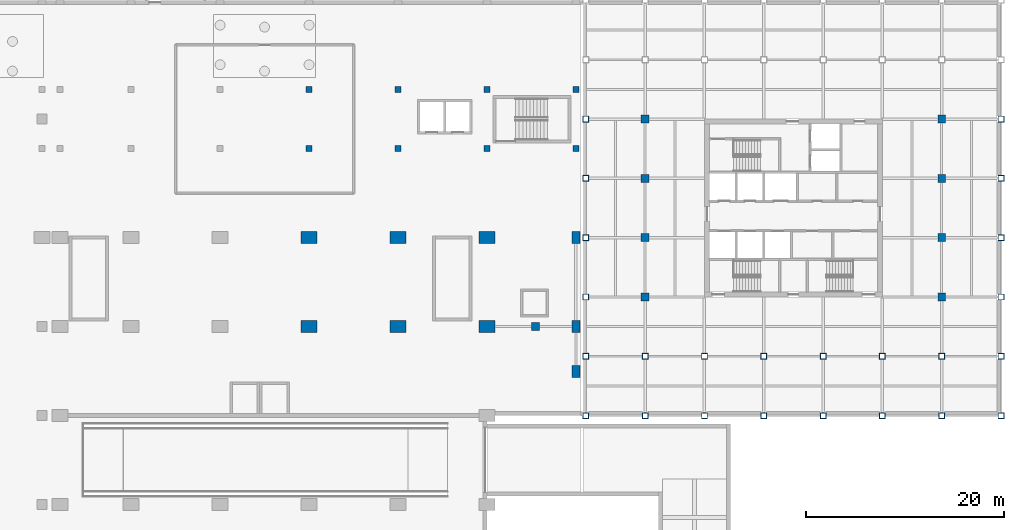
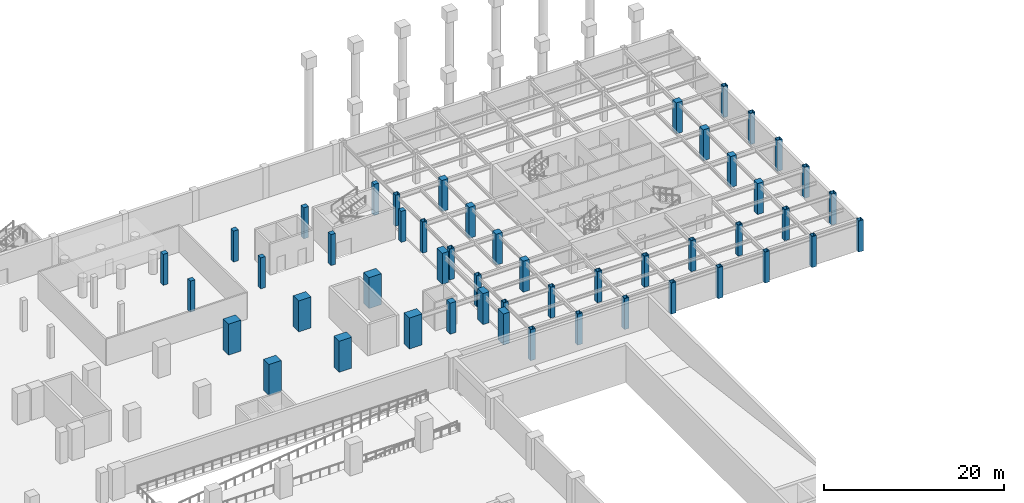
# One storey, part 4 of 27: 50 columns.
"""IFC4 building model written with IfcOpenShell, lengths in metres."""

from ifc_helpers import new_model, si_unit, direction, frame, origin, origin_2d, place, context, subcontext, project, spatial, rectangle, hollow_rectangle, extrude, material, material_profile, profile_set, type_object, element, save


model = new_model("IFC4")

# Units and contexts
model_context = context("Model", 3, precision=1e-05, world=origin(), true_north=direction((0.0, 1.0)))
body_context = subcontext(model_context, "Body", "Model", "MODEL_VIEW")
ifc_project = project(units=[si_unit("LENGTHUNIT", "METRE"), si_unit("AREAUNIT", "SQUARE_METRE"), si_unit("VOLUMEUNIT", "CUBIC_METRE"), si_unit("PLANEANGLEUNIT", "RADIAN"), si_unit("MASSUNIT", "GRAM", prefix="KILO")], contexts=[model_context])

# Site, building, storey
site_placement = place(None, origin())
site = spatial("IfcSite", under=ifc_project, at=site_placement, CompositionType="ELEMENT")
building_placement = place(site_placement, origin())
building = spatial("IfcBuilding", under=site, at=building_placement, Name="Aravalli Gate Trade Fair Centre", CompositionType="ELEMENT")
storey_placement = place(building_placement, frame((0.0, 0.0, -4.199951171875)))
storey = spatial("IfcBuildingStorey", under=building, at=storey_placement, Name="B1", CompositionType="ELEMENT", Elevation=-4.199951171875)

# Columns
ifc_material_1 = material(Name="Concrete M50", Category="concrete")
ifc_material_profile_1 = material_profile(ifc_material_1, rectangle(XDim=0.800048828125, YDim=0.800048828125, at=origin_2d()), Name="RC 800 x 800")
ifc_profile_set_1 = profile_set([ifc_material_profile_1], Name="Concrete M50")
column_type_1 = type_object("IfcColumnType", Name="Basement column 800", PredefinedType="COLUMN", material=ifc_profile_set_1)
for number, where, z_axis, x_axis, name in (
    (1, (166.0, 103.0, 0.0), (0.0, 0.0, 1.0), (1.0, 0.0, 0.0), "Basement column 19T2 B1"),
    (2, (166.0, 109.0, 0.0), (0.0, 0.0, 1.0), (1.0, 0.0, 0.0), "Basement column 19H B1"),
    (3, (166.0, 115.0, 0.0), (0.0, 0.0, 1.0), (1.0, 0.0, 0.0), "Basement column 19T3 B1"),
    (4, (166.0, 121.0, 0.0), (0.0, 0.0, 1.0), (1.0, 0.0, 0.0), "Basement column 19J B1"),
    (5, (196.0, 103.0, 0.0), (0.0, 0.0, 1.0), (1.0, 0.0, 0.0), "Basement column 24T2 B1"),
    (6, (196.0, 109.0, 0.0), (0.0, 0.0, 1.0), (1.0, 0.0, 0.0), "Basement column 24H B1"),
    (7, (196.0, 115.0, 0.0), (0.0, 0.0, 1.0), (1.0, 0.0, 0.0), "Basement column 24T3 B1"),
    (8, (196.0, 121.0, 0.0), (0.0, 0.0, 1.0), (1.0, 0.0, 0.0), "Basement column 24J B1"),
):
    element("IfcColumn", number, at=place(storey_placement, frame(where, z_axis=z_axis, x_axis=x_axis)), inside=storey, type_object=column_type_1, Name=name, PredefinedType="COLUMN", context=body_context, shape_type="SweptSolid", body=[
        extrude(rectangle(XDim=0.800048828125, YDim=0.800048828125, at=origin_2d()), origin(), (0.0, 0.0, 1.0), 4.199951171875),
    ])
ifc_material_2 = material(Name="Concrete M45", Category="concrete")
ifc_material_profile_2 = material_profile(ifc_material_2, rectangle(XDim=1.60009765625, YDim=1.199951171875, at=origin_2d()), Name="RC 1600x1200")
ifc_profile_set_2 = profile_set([ifc_material_profile_2], Name="Concrete M45")
column_type_2 = type_object("IfcColumnType", Name="Congress RC column 1600 x 1200", PredefinedType="COLUMN", material=ifc_profile_set_2)
for number, where, z_axis, x_axis, name in (
    (9, (150.0, 100.0, 0.0), (0.0, 0.0, 1.0), (1.0, 0.0, 0.0), "Congress column 150.0/100 B1"),
    (10, (132.0, 109.0, 0.0), (0.0, 0.0, 1.0), (1.0, 0.0, 0.0), "Congress column 132.0/109 B1"),
    (11, (141.0, 109.0, 0.0), (0.0, 0.0, 1.0), (1.0, 0.0, 0.0), "Congress column 141.0/109 B1"),
    (12, (150.0, 109.0, 0.0), (0.0, 0.0, 1.0), (1.0, 0.0, 0.0), "Congress column 150.0/109 B1"),
):
    element("IfcColumn", number, at=place(storey_placement, frame(where, z_axis=z_axis, x_axis=x_axis)), inside=storey, type_object=column_type_2, Name=name, PredefinedType="COLUMN", context=body_context, shape_type="SweptSolid", body=[
        extrude(rectangle(XDim=1.60009765625, YDim=1.199951171875, at=origin_2d()), origin(), (0.0, 0.0, 1.0), 4.199951171875),
    ])
ifc_material_profile_3 = material_profile(ifc_material_2, rectangle(XDim=1.60009765625, YDim=1.199951171875, at=origin_2d()), Name="RC 1600x1200")
ifc_profile_set_3 = profile_set([ifc_material_profile_3], Name="Concrete M45")
column_type_3 = type_object("IfcColumnType", Name="Congress RC column 1600 x 1200, heavy stack", PredefinedType="COLUMN", material=ifc_profile_set_3)
for number, where, z_axis, x_axis, name in (
    (13, (132.0, 100.0, 0.0), (0.0, 0.0, 1.0), (1.0, 0.0, 0.0), "Congress column 132.0/100 B1"),
    (14, (141.0, 100.0, 0.0), (0.0, 0.0, 1.0), (1.0, 0.0, 0.0), "Congress column 141.0/100 B1"),
):
    element("IfcColumn", number, at=place(storey_placement, frame(where, z_axis=z_axis, x_axis=x_axis)), inside=storey, type_object=column_type_3, Name=name, PredefinedType="COLUMN", context=body_context, shape_type="SweptSolid", body=[
        extrude(rectangle(XDim=1.60009765625, YDim=1.199951171875, at=origin_2d()), origin(), (0.0, 0.0, 1.0), 4.199951171875),
    ])
ifc_material_profile_4 = material_profile(ifc_material_1, rectangle(XDim=0.800048828125, YDim=1.199951171875, at=origin_2d()), Name="Link column 800 x 1200")
ifc_profile_set_4 = profile_set([ifc_material_profile_4], Name="Concrete M50")
column_type_4 = type_object("IfcColumnType", Name="Link column 800 x 1200", PredefinedType="COLUMN", material=ifc_profile_set_4)
for number, where, z_axis, x_axis, name in (
    (15, (159.0, 95.449951171875, 0.0), (0.0, 0.0, 1.0), (1.0, 0.0, 0.0), "Link column EF B1"),
    (16, (159.0, 100.0, 0.0), (0.0, 0.0, 1.0), (1.0, 0.0, 0.0), "Link column EG B1"),
    (17, (159.0, 109.0, 0.0), (0.0, 0.0, 1.0), (1.0, 0.0, 0.0), "Link column EH B1"),
):
    element("IfcColumn", number, at=place(storey_placement, frame(where, z_axis=z_axis, x_axis=x_axis)), inside=storey, type_object=column_type_4, Name=name, PredefinedType="COLUMN", context=body_context, shape_type="SweptSolid", body=[
        extrude(rectangle(XDim=0.800048828125, YDim=1.199951171875, at=origin_2d()), origin(), (0.0, 0.0, 1.0), 4.199951171875),
    ])
ifc_material_profile_5 = material_profile(ifc_material_1, rectangle(XDim=0.800048828125, YDim=0.800048828125, at=origin_2d()), Name="Link column 800 x 800")
ifc_profile_set_5 = profile_set([ifc_material_profile_5], Name="Concrete M50")
column_type_5 = type_object("IfcColumnType", Name="Link column 800 x 800", PredefinedType="COLUMN", material=ifc_profile_set_5)
column_placement = place(storey_placement, frame((154.89990234375, 100.0, 0.0), z_axis=(0.0, 0.0, 1.0), x_axis=(1.0, 0.0, 0.0)))
element("IfcColumn", 18, at=column_placement, inside=storey, type_object=column_type_5, Name="Link column MG B1", PredefinedType="COLUMN", context=body_context, shape_type="SweptSolid", body=[
    extrude(rectangle(XDim=0.800048828125, YDim=0.800048828125, at=origin_2d()), origin(), (0.0, 0.0, 1.0), 4.199951171875),
])
ifc_material_profile_6 = material_profile(ifc_material_2, rectangle(XDim=0.60009765625, YDim=0.60009765625, at=origin_2d()), Name="RC column 600 x 600")
ifc_profile_set_6 = profile_set([ifc_material_profile_6], Name="Concrete M45")
column_type_6 = type_object("IfcColumnType", Name="RC column 600 x 600", PredefinedType="COLUMN", material=ifc_profile_set_6)
for number, where, z_axis, x_axis, name in (
    (19, (132.0, 118.0, 0.0), (0.0, 0.0, 1.0), (1.0, 0.0, 0.0), "Concourse column S15 B1"),
    (20, (132.0, 124.0, 0.0), (0.0, 0.0, 1.0), (1.0, 0.0, 0.0), "Concourse column N15 B1"),
    (21, (141.0, 118.0, 0.0), (0.0, 0.0, 1.0), (1.0, 0.0, 0.0), "Concourse column S16 B1"),
    (22, (141.0, 124.0, 0.0), (0.0, 0.0, 1.0), (1.0, 0.0, 0.0), "Concourse column N16 B1"),
    (23, (150.0, 118.0, 0.0), (0.0, 0.0, 1.0), (1.0, 0.0, 0.0), "Concourse column S17 B1"),
    (24, (150.0, 124.0, 0.0), (0.0, 0.0, 1.0), (1.0, 0.0, 0.0), "Concourse column N17 B1"),
    (25, (159.0, 118.0, 0.0), (0.0, 0.0, 1.0), (1.0, 0.0, 0.0), "Concourse column SE B1"),
    (26, (159.0, 124.0, 0.0), (0.0, 0.0, 1.0), (1.0, 0.0, 0.0), "Concourse column NE B1"),
):
    element("IfcColumn", number, at=place(storey_placement, frame(where, z_axis=z_axis, x_axis=x_axis)), inside=storey, type_object=column_type_6, Name=name, PredefinedType="COLUMN", context=body_context, shape_type="SweptSolid", body=[
        extrude(rectangle(XDim=0.60009765625, YDim=0.60009765625, at=origin_2d()), origin(), (0.0, 0.0, 1.0), 4.199951171875),
    ])
ifc_material_3 = material(Name="Steel E350", Category="steel")
ifc_material_profile_7 = material_profile(ifc_material_3, hollow_rectangle(XDim=0.60009765625, YDim=0.60009765625, WallThickness=0.0400390625, at=origin_2d()), Name="BOX 600x600x40")
ifc_profile_set_7 = profile_set([ifc_material_profile_7], Name="Steel E350")
column_type_7 = type_object("IfcColumnType", Name="Wing box column 600 x 600 x 40", PredefinedType="COLUMN", material=ifc_profile_set_7)
for number, where, z_axis, x_axis, name in (
    (27, (160.0, 91.0, 0.0), (0.0, 0.0, 1.0), (1.0, 0.0, 0.0), "Wing column 18/F B1"),
    (28, (160.0, 97.0, 0.0), (0.0, 0.0, 1.0), (1.0, 0.0, 0.0), "Wing column 18/T1 B1"),
    (29, (160.0, 103.0, 0.0), (0.0, 0.0, 1.0), (1.0, 0.0, 0.0), "Wing column 18/T2 B1"),
    (30, (160.0, 109.0, 0.0), (0.0, 0.0, 1.0), (1.0, 0.0, 0.0), "Wing column 18/H B1"),
    (31, (160.0, 115.0, 0.0), (0.0, 0.0, 1.0), (1.0, 0.0, 0.0), "Wing column 18/T3 B1"),
    (32, (160.0, 121.0, 0.0), (0.0, 0.0, 1.0), (1.0, 0.0, 0.0), "Wing column 18/J B1"),
    (33, (166.0, 91.0, 0.0), (0.0, 0.0, 1.0), (1.0, 0.0, 0.0), "Wing column 19/F B1"),
    (34, (172.0, 91.0, 0.0), (0.0, 0.0, 1.0), (1.0, 0.0, 0.0), "Wing column 20/F B1"),
    (35, (178.0, 91.0, 0.0), (0.0, 0.0, 1.0), (1.0, 0.0, 0.0), "Wing column 21/F B1"),
    (36, (184.0, 91.0, 0.0), (0.0, 0.0, 1.0), (1.0, 0.0, 0.0), "Wing column 22/F B1"),
    (37, (190.0, 91.0, 0.0), (0.0, 0.0, 1.0), (1.0, 0.0, 0.0), "Wing column 23/F B1"),
    (38, (196.0, 91.0, 0.0), (0.0, 0.0, 1.0), (1.0, 0.0, 0.0), "Wing column 24/F B1"),
    (39, (202.0, 91.0, 0.0), (0.0, 0.0, 1.0), (1.0, 0.0, 0.0), "Wing column 25/F B1"),
    (40, (202.0, 97.0, 0.0), (0.0, 0.0, 1.0), (1.0, 0.0, 0.0), "Wing column 25/T1 B1"),
    (41, (202.0, 103.0, 0.0), (0.0, 0.0, 1.0), (1.0, 0.0, 0.0), "Wing column 25/T2 B1"),
    (42, (202.0, 109.0, 0.0), (0.0, 0.0, 1.0), (1.0, 0.0, 0.0), "Wing column 25/H B1"),
    (43, (202.0, 115.0, 0.0), (0.0, 0.0, 1.0), (1.0, 0.0, 0.0), "Wing column 25/T3 B1"),
    (44, (202.0, 121.0, 0.0), (0.0, 0.0, 1.0), (1.0, 0.0, 0.0), "Wing column 25/J B1"),
    (45, (166.0, 97.0, 0.0), (0.0, 0.0, 1.0), (1.0, 0.0, 0.0), "Wing column 19/T1 B1"),
    (46, (172.0, 97.0, 0.0), (0.0, 0.0, 1.0), (1.0, 0.0, 0.0), "Wing column 20/T1 B1"),
    (47, (178.0, 97.0, 0.0), (0.0, 0.0, 1.0), (1.0, 0.0, 0.0), "Wing column 21/T1 B1"),
    (48, (184.0, 97.0, 0.0), (0.0, 0.0, 1.0), (1.0, 0.0, 0.0), "Wing column 22/T1 B1"),
    (49, (190.0, 97.0, 0.0), (0.0, 0.0, 1.0), (1.0, 0.0, 0.0), "Wing column 23/T1 B1"),
    (50, (196.0, 97.0, 0.0), (0.0, 0.0, 1.0), (1.0, 0.0, 0.0), "Wing column 24/T1 B1"),
):
    element("IfcColumn", number, at=place(storey_placement, frame(where, z_axis=z_axis, x_axis=x_axis)), inside=storey, type_object=column_type_7, Name=name, PredefinedType="COLUMN", context=body_context, shape_type="SweptSolid", body=[
        extrude(hollow_rectangle(XDim=0.60009765625, YDim=0.60009765625, WallThickness=0.0400390625, at=origin_2d()), origin(), (0.0, 0.0, 1.0), 4.199951171875),
    ])

save(model, "model.ifc")
